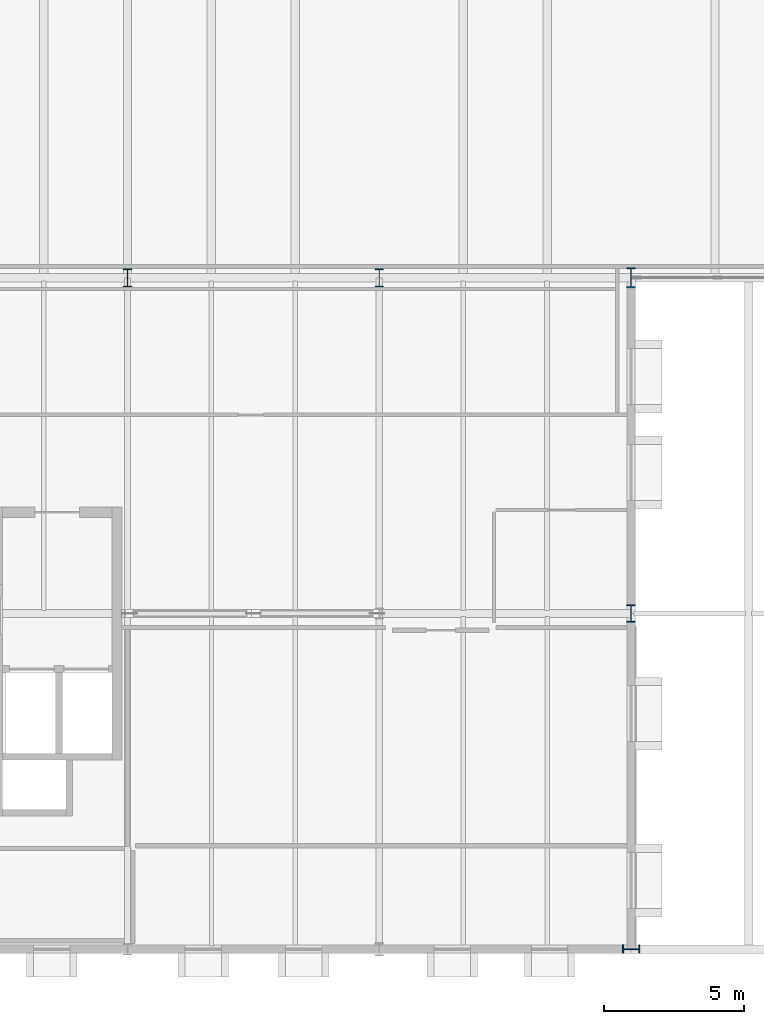
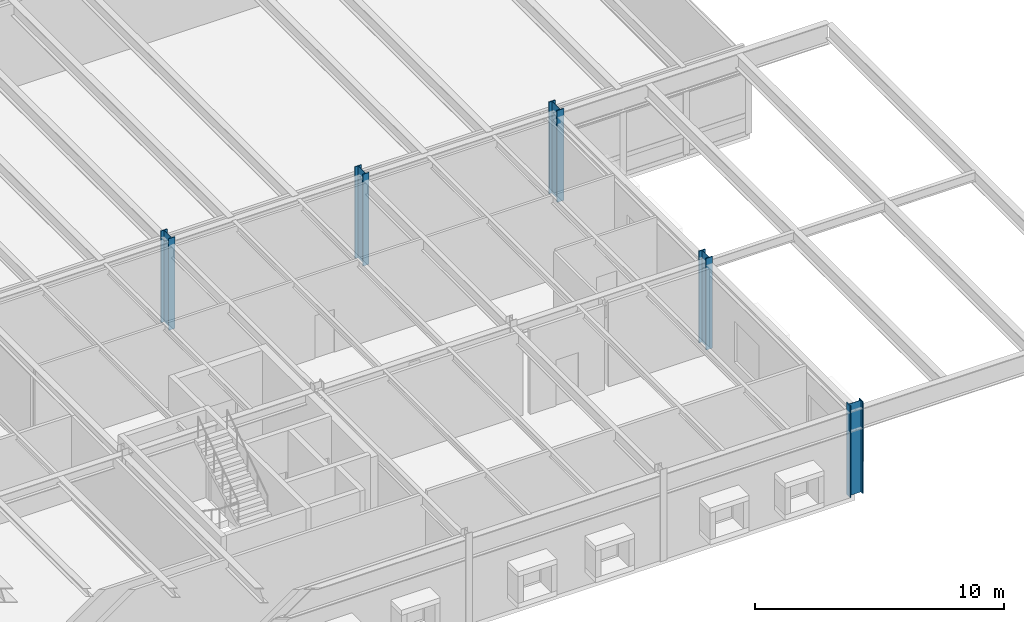
# One storey, part 5 of 115: 5 columns.
"""IFC4 building model written with IfcOpenShell, lengths in metres."""

from ifc_helpers import new_model, si_unit, direction, frame, origin, origin_2d, place, context, subcontext, project, spatial, i_section, extrude, material, material_profile, profile_set, type_object, element, save


model = new_model("IFC4")

# Units and contexts
model_context = context("Model", 3, precision=1e-05, world=origin(), true_north=direction((0.0, 1.0)))
body_context = subcontext(model_context, "Body", "Model", "MODEL_VIEW")
ifc_project = project(units=[si_unit("LENGTHUNIT", "METRE"), si_unit("AREAUNIT", "SQUARE_METRE"), si_unit("VOLUMEUNIT", "CUBIC_METRE"), si_unit("PLANEANGLEUNIT", "RADIAN"), si_unit("MASSUNIT", "GRAM", prefix="KILO")], contexts=[model_context])

# Site, building, storey
site_placement = place(None, origin())
site = spatial("IfcSite", under=ifc_project, at=site_placement, CompositionType="ELEMENT")
building_placement = place(site_placement, origin())
building = spatial("IfcBuilding", under=site, at=building_placement, Name="Montelvaro Courts of Justice", CompositionType="ELEMENT")
storey_placement = place(building_placement, frame((0.0, 0.0, 9.89990234375)))
storey = spatial("IfcBuildingStorey", under=building, at=storey_placement, Name="L02", CompositionType="ELEMENT", Elevation=9.89990234375)

# Columns
ifc_material = material(Name="Steel S355", Category="steel")
ifc_material_profile_1 = material_profile(ifc_material, i_section(OverallWidth=0.300048828125, OverallDepth=0.64990234375, WebThickness=0.01611328125, FlangeThickness=0.031005859375, at=origin_2d()), Name="HEB 650")
ifc_profile_set_1 = profile_set([ifc_material_profile_1], Name="Steel S355")
column_type_1 = type_object("IfcColumnType", Name="Col_HEB650", PredefinedType="COLUMN", material=ifc_profile_set_1)
for number, where, z_axis, x_axis, name in (
    (1, (117.0, 24.0, 0.0), (0.0, 0.0, 1.0), (1.0, 0.0, 0.0), "Column C-12 L02 14/C"),
    (2, (126.0, 24.0, 0.0), (0.0, 0.0, 1.0), (1.0, 0.0, 0.0), "Column C-12 L02 15/C"),
):
    element("IfcColumn", number, at=place(storey_placement, frame(where, z_axis=z_axis, x_axis=x_axis)), inside=storey, type_object=column_type_1, Name=name, PredefinedType="COLUMN", context=body_context, shape_type="SweptSolid", body=[
        extrude(i_section(OverallWidth=0.300048828125, OverallDepth=0.64990234375, WebThickness=0.01611328125, FlangeThickness=0.031005859375, at=origin_2d()), origin(), (0.0, 0.0, 1.0), 4.5),
    ])
ifc_material_profile_2 = material_profile(ifc_material, i_section(OverallWidth=0.304931640625, OverallDepth=0.6201171875, WebThickness=0.02099609375, FlangeThickness=0.0400390625, at=origin_2d()), Name="HEM 600")
ifc_profile_set_2 = profile_set([ifc_material_profile_2], Name="Steel S355")
column_type_2 = type_object("IfcColumnType", Name="Col_HEM600", PredefinedType="COLUMN", material=ifc_profile_set_2)
for number, where, z_axis, x_axis, name in (
    (3, (135.0, 0.0, 0.0), (0.0, 0.0, 1.0), (0.0, 1.0, 0.0), "Column C-15 L02 16/A"),
    (4, (135.0, 12.0, 0.0), (0.0, 0.0, 1.0), (1.0, 0.0, 0.0), "Column C-15 L02 16/B"),
):
    element("IfcColumn", number, at=place(storey_placement, frame(where, z_axis=z_axis, x_axis=x_axis)), inside=storey, type_object=column_type_2, Name=name, PredefinedType="COLUMN", context=body_context, shape_type="SweptSolid", body=[
        extrude(i_section(OverallWidth=0.304931640625, OverallDepth=0.6201171875, WebThickness=0.02099609375, FlangeThickness=0.0400390625, at=origin_2d()), origin(), (0.0, 0.0, 1.0), 4.5),
    ])
ifc_material_profile_3 = material_profile(ifc_material, i_section(OverallWidth=0.303955078125, OverallDepth=0.716064453125, WebThickness=0.02099609375, FlangeThickness=0.0400390625, at=origin_2d()), Name="HEM 700")
ifc_profile_set_3 = profile_set([ifc_material_profile_3], Name="Steel S355")
column_type_3 = type_object("IfcColumnType", Name="Col_HEM700", PredefinedType="COLUMN", material=ifc_profile_set_3)
column_placement = place(storey_placement, frame((135.0, 24.0, 0.0), z_axis=(0.0, 0.0, 1.0), x_axis=(1.0, 0.0, 0.0)))
element("IfcColumn", 5, at=column_placement, inside=storey, type_object=column_type_3, Name="Column C-16 L02 16/C", PredefinedType="COLUMN", context=body_context, shape_type="SweptSolid", body=[
    extrude(i_section(OverallWidth=0.303955078125, OverallDepth=0.716064453125, WebThickness=0.02099609375, FlangeThickness=0.0400390625, at=origin_2d()), origin(), (0.0, 0.0, 1.0), 4.5),
])

save(model, "model.ifc")
